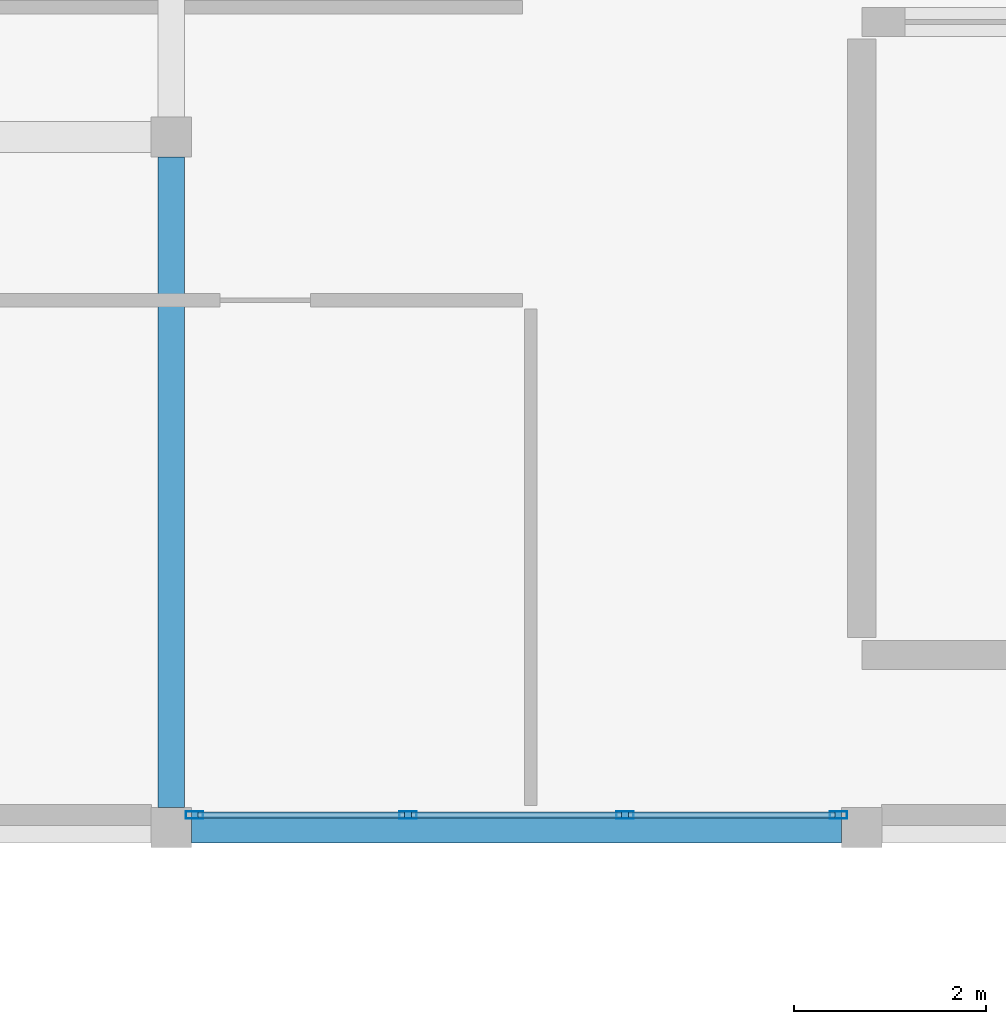
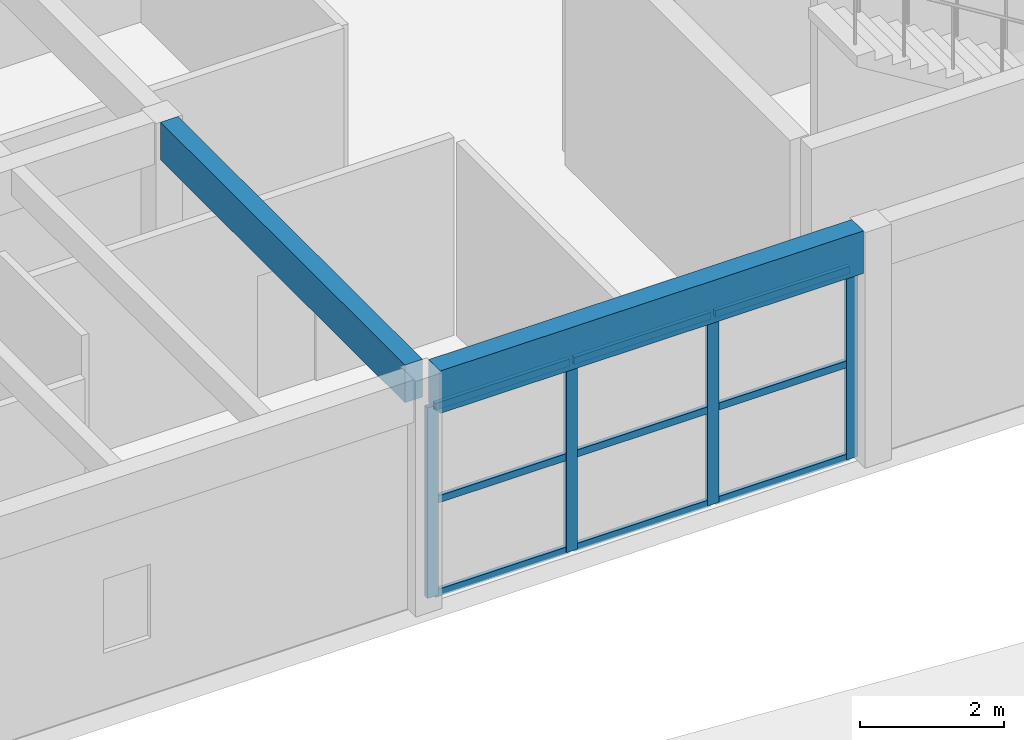
# One storey, part 32 of 68: 13 members, 2 beams, 1 element without a shape of its own.
"""IFC4 building model written with IfcOpenShell, lengths in metres."""

from ifc_helpers import new_model, si_unit, direction, frame, origin, origin_2d, place, context, subcontext, project, spatial, rectangle, hollow_rectangle, extrude, material, material_profile, profile_set, type_object, element, aggregate, save


model = new_model("IFC4")

# Units and contexts
model_context = context("Model", 3, precision=1e-05, world=origin(), true_north=direction((0.0, 1.0)))
body_context = subcontext(model_context, "Body", "Model", "MODEL_VIEW")
ifc_project = project(units=[si_unit("LENGTHUNIT", "METRE"), si_unit("AREAUNIT", "SQUARE_METRE"), si_unit("VOLUMEUNIT", "CUBIC_METRE"), si_unit("PLANEANGLEUNIT", "RADIAN"), si_unit("MASSUNIT", "GRAM", prefix="KILO")], contexts=[model_context])

# Site, building, storey
site_placement = place(None, origin())
site = spatial("IfcSite", under=ifc_project, at=site_placement, CompositionType="ELEMENT")
building_placement = place(site_placement, origin())
building = spatial("IfcBuilding", under=site, at=building_placement, Name="Bramvelor Terrace Health Centre", CompositionType="ELEMENT")
storey_placement = place(building_placement, frame((0.0, 0.0, 9.300048828125)))
storey = spatial("IfcBuildingStorey", under=building, at=storey_placement, Name="L03", CompositionType="ELEMENT", Elevation=9.300048828125)

# Beams
ifc_material_1 = material(Name="Glulam GL28h", Category="wood")
ifc_material_profile_1 = material_profile(ifc_material_1, rectangle(XDim=0.280029296875, YDim=0.639892578125, at=origin_2d()), Name="GL 280x640")
ifc_profile_set_1 = profile_set([ifc_material_profile_1], Name="Glulam GL28h")
beam_type_1 = type_object("IfcBeamType", Name="BM-GL-G640", PredefinedType="BEAM", material=ifc_profile_set_1)
beam_1_placement = place(storey_placement, frame((72.0, 86.610107421875, 3.669921875), z_axis=(0.0, 1.0, 0.0), x_axis=(-1.0, 0.0, 0.0)))
element("IfcBeam", 1, at=beam_1_placement, inside=storey, type_object=beam_type_1, Name="L03 Floor Girder", PredefinedType="BEAM", context=body_context, shape_type="SweptSolid", body=[
    extrude(rectangle(XDim=0.280029296875, YDim=0.639892578125, at=origin_2d()), origin(), (0.0, 0.0, 1.0), 6.77978515625),
])
ifc_material_2 = material(Name="Glulam GL28h", Category="wood")
ifc_material_profile_2 = material_profile(ifc_material_2, rectangle(XDim=0.320068359375, YDim=0.719970703125, at=origin_2d()), Name="GL 320x720")
ifc_profile_set_2 = profile_set([ifc_material_profile_2], Name="Glulam GL28h")
beam_type_2 = type_object("IfcBeamType", Name="BM-GL-G720", PredefinedType="BEAM", material=ifc_profile_set_2)
beam_2_placement = place(storey_placement, frame((72.2099609375, 86.39990234375, 3.6298828125), z_axis=(1.0, 0.0, 0.0), x_axis=(0.0, 1.0, 0.0)))
element("IfcBeam", 2, at=beam_2_placement, inside=storey, type_object=beam_type_2, Name="L03 Floor Girder", PredefinedType="BEAM", context=body_context, shape_type="SweptSolid", body=[
    extrude(rectangle(XDim=0.320068359375, YDim=0.719970703125, at=origin_2d()), origin(), (0.0, 0.0, 1.0), 6.780029296875),
])

# Curtain wall, members
ifc_material_3 = material(Name="Anodized aluminium and double low-E glass", Category="aluminium")
curtain_wall_type = type_object("IfcCurtainWallType", Name="CW-SYS-27", PredefinedType="NOTDEFINED", material=ifc_material_3)
curtain_wall_placement = place(storey_placement, origin())
curtain_wall = element("IfcCurtainWall", 3, at=curtain_wall_placement, inside=storey, type_object=curtain_wall_type, Name="L03 Unitized Curtain Wall 180", PredefinedType="NOTDEFINED")
ifc_material_4 = material(Name="Anodized aluminium 6063-T6", Category="aluminium")
ifc_material_profile_3 = material_profile(ifc_material_4, hollow_rectangle(XDim=0.074951171875, YDim=0.179931640625, WallThickness=0.00341796875, at=origin_2d()), Name="ALU-MUL 75x180x3.5")
ifc_profile_set_3 = profile_set([ifc_material_profile_3], Name="Anodized aluminium 6063-T6")
member_type_1 = type_object("IfcMemberType", Name="CW-MUL-65x180", PredefinedType="MULLION", material=ifc_profile_set_3)
member_1_placement = place(storey_placement, frame((78.95751953125, 86.530029296875, 0.0), z_axis=(0.0, 0.0, 1.0), x_axis=(0.0, -1.0, 0.0)))
member_1 = element("IfcMember", 4, at=member_1_placement, type_object=member_type_1, Name="CW-27 mullion 1", PredefinedType="MULLION", context=body_context, shape_type="SweptSolid", body=[
    extrude(hollow_rectangle(XDim=0.074951171875, YDim=0.179931640625, WallThickness=0.00341796875, at=origin_2d()), origin(), (0.0, 0.0, 1.0), 3.22998046875),
])
member_2_placement = place(storey_placement, frame((76.731689453125, 86.530029296875, 0.0), z_axis=(0.0, 0.0, 1.0), x_axis=(0.0, -1.0, 0.0)))
member_2 = element("IfcMember", 5, at=member_2_placement, type_object=member_type_1, Name="CW-27 mullion 2", PredefinedType="MULLION", context=body_context, shape_type="SweptSolid", body=[
    extrude(hollow_rectangle(XDim=0.074951171875, YDim=0.179931640625, WallThickness=0.00341796875, at=origin_2d()), origin(), (0.0, 0.0, 1.0), 3.22998046875),
])
member_3_placement = place(storey_placement, frame((74.46826171875, 86.530029296875, 0.0), z_axis=(0.0, 0.0, 1.0), x_axis=(0.0, -1.0, 0.0)))
member_3 = element("IfcMember", 6, at=member_3_placement, type_object=member_type_1, Name="CW-27 mullion 3", PredefinedType="MULLION", context=body_context, shape_type="SweptSolid", body=[
    extrude(hollow_rectangle(XDim=0.074951171875, YDim=0.179931640625, WallThickness=0.00341796875, at=origin_2d()), origin(), (0.0, 0.0, 1.0), 3.22998046875),
])
member_4_placement = place(storey_placement, frame((72.242431640625, 86.530029296875, 0.0), z_axis=(0.0, 0.0, 1.0), x_axis=(0.0, -1.0, 0.0)))
member_4 = element("IfcMember", 7, at=member_4_placement, type_object=member_type_1, Name="CW-27 mullion 4", PredefinedType="MULLION", context=body_context, shape_type="SweptSolid", body=[
    extrude(hollow_rectangle(XDim=0.074951171875, YDim=0.179931640625, WallThickness=0.00341796875, at=origin_2d()), origin(), (0.0, 0.0, 1.0), 3.22998046875),
])
ifc_material_5 = material(Name="Anodized aluminium 6063-T6", Category="aluminium")
ifc_material_profile_4 = material_profile(ifc_material_5, hollow_rectangle(XDim=0.06494140625, YDim=0.1201171875, WallThickness=0.0029296875, at=origin_2d()), Name="ALU-TRN 65x120x3.0")
ifc_profile_set_4 = profile_set([ifc_material_profile_4], Name="Anodized aluminium 6063-T6")
member_type_2 = type_object("IfcMemberType", Name="CW-TRN-65x150", PredefinedType="USERDEFINED", material=ifc_profile_set_4)
member_5_placement = place(storey_placement, frame((78.919921875, 86.530029296875, 0.032470703125), z_axis=(-1.0, 0.0, 0.0), x_axis=(0.0, -1.0, 0.0)))
member_5 = element("IfcMember", 8, at=member_5_placement, type_object=member_type_2, Name="CW-27 transom 1.1", ObjectType="TRANSOM", PredefinedType="USERDEFINED", context=body_context, shape_type="SweptSolid", body=[
    extrude(hollow_rectangle(XDim=0.06494140625, YDim=0.1201171875, WallThickness=0.0029296875, at=origin_2d()), origin(), (0.0, 0.0, 1.0), 2.150634765625),
])
member_6_placement = place(storey_placement, frame((78.919921875, 86.530029296875, 1.614990234375), z_axis=(-1.0, 0.0, 0.0), x_axis=(0.0, -1.0, 0.0)))
member_6 = element("IfcMember", 9, at=member_6_placement, type_object=member_type_2, Name="CW-27 transom 1.2", ObjectType="TRANSOM", PredefinedType="USERDEFINED", context=body_context, shape_type="SweptSolid", body=[
    extrude(hollow_rectangle(XDim=0.06494140625, YDim=0.1201171875, WallThickness=0.0029296875, at=origin_2d()), origin(), (0.0, 0.0, 1.0), 2.150634765625),
])
member_7_placement = place(storey_placement, frame((78.919921875, 86.530029296875, 3.197509765625), z_axis=(-1.0, 0.0, 0.0), x_axis=(0.0, -1.0, 0.0)))
member_7 = element("IfcMember", 10, at=member_7_placement, type_object=member_type_2, Name="CW-27 transom 1.3", ObjectType="TRANSOM", PredefinedType="USERDEFINED", context=body_context, shape_type="SweptSolid", body=[
    extrude(hollow_rectangle(XDim=0.06494140625, YDim=0.1201171875, WallThickness=0.0029296875, at=origin_2d()), origin(), (0.0, 0.0, 1.0), 2.150634765625),
])
member_8_placement = place(storey_placement, frame((76.694091796875, 86.530029296875, 0.032470703125), z_axis=(-1.0, 0.0, 0.0), x_axis=(0.0, -1.0, 0.0)))
member_8 = element("IfcMember", 11, at=member_8_placement, type_object=member_type_2, Name="CW-27 transom 2.1", ObjectType="TRANSOM", PredefinedType="USERDEFINED", context=body_context, shape_type="SweptSolid", body=[
    extrude(hollow_rectangle(XDim=0.06494140625, YDim=0.1201171875, WallThickness=0.0029296875, at=origin_2d()), origin(), (0.0, 0.0, 1.0), 2.188232421875),
])
member_9_placement = place(storey_placement, frame((76.694091796875, 86.530029296875, 1.614990234375), z_axis=(-1.0, 0.0, 0.0), x_axis=(0.0, -1.0, 0.0)))
member_9 = element("IfcMember", 12, at=member_9_placement, type_object=member_type_2, Name="CW-27 transom 2.2", ObjectType="TRANSOM", PredefinedType="USERDEFINED", context=body_context, shape_type="SweptSolid", body=[
    extrude(hollow_rectangle(XDim=0.06494140625, YDim=0.1201171875, WallThickness=0.0029296875, at=origin_2d()), origin(), (0.0, 0.0, 1.0), 2.188232421875),
])
member_10_placement = place(storey_placement, frame((76.694091796875, 86.530029296875, 3.197509765625), z_axis=(-1.0, 0.0, 0.0), x_axis=(0.0, -1.0, 0.0)))
member_10 = element("IfcMember", 13, at=member_10_placement, type_object=member_type_2, Name="CW-27 transom 2.3", ObjectType="TRANSOM", PredefinedType="USERDEFINED", context=body_context, shape_type="SweptSolid", body=[
    extrude(hollow_rectangle(XDim=0.06494140625, YDim=0.1201171875, WallThickness=0.0029296875, at=origin_2d()), origin(), (0.0, 0.0, 1.0), 2.188232421875),
])
member_11_placement = place(storey_placement, frame((74.430908203125, 86.530029296875, 0.032470703125), z_axis=(-1.0, 0.0, 0.0), x_axis=(0.0, -1.0, 0.0)))
member_11 = element("IfcMember", 14, at=member_11_placement, type_object=member_type_2, Name="CW-27 transom 3.1", ObjectType="TRANSOM", PredefinedType="USERDEFINED", context=body_context, shape_type="SweptSolid", body=[
    extrude(hollow_rectangle(XDim=0.06494140625, YDim=0.1201171875, WallThickness=0.0029296875, at=origin_2d()), origin(), (0.0, 0.0, 1.0), 2.15087890625),
])
member_12_placement = place(storey_placement, frame((74.430908203125, 86.530029296875, 1.614990234375), z_axis=(-1.0, 0.0, 0.0), x_axis=(0.0, -1.0, 0.0)))
member_12 = element("IfcMember", 15, at=member_12_placement, type_object=member_type_2, Name="CW-27 transom 3.2", ObjectType="TRANSOM", PredefinedType="USERDEFINED", context=body_context, shape_type="SweptSolid", body=[
    extrude(hollow_rectangle(XDim=0.06494140625, YDim=0.1201171875, WallThickness=0.0029296875, at=origin_2d()), origin(), (0.0, 0.0, 1.0), 2.15087890625),
])
member_13_placement = place(storey_placement, frame((74.430908203125, 86.530029296875, 3.197509765625), z_axis=(-1.0, 0.0, 0.0), x_axis=(0.0, -1.0, 0.0)))
member_13 = element("IfcMember", 16, at=member_13_placement, type_object=member_type_2, Name="CW-27 transom 3.3", ObjectType="TRANSOM", PredefinedType="USERDEFINED", context=body_context, shape_type="SweptSolid", body=[
    extrude(hollow_rectangle(XDim=0.06494140625, YDim=0.1201171875, WallThickness=0.0029296875, at=origin_2d()), origin(), (0.0, 0.0, 1.0), 2.15087890625),
])
aggregate(curtain_wall, [member_1, member_2, member_3, member_4, member_5, member_6, member_7, member_8, member_9, member_10, member_11, member_12, member_13])

save(model, "model.ifc")
